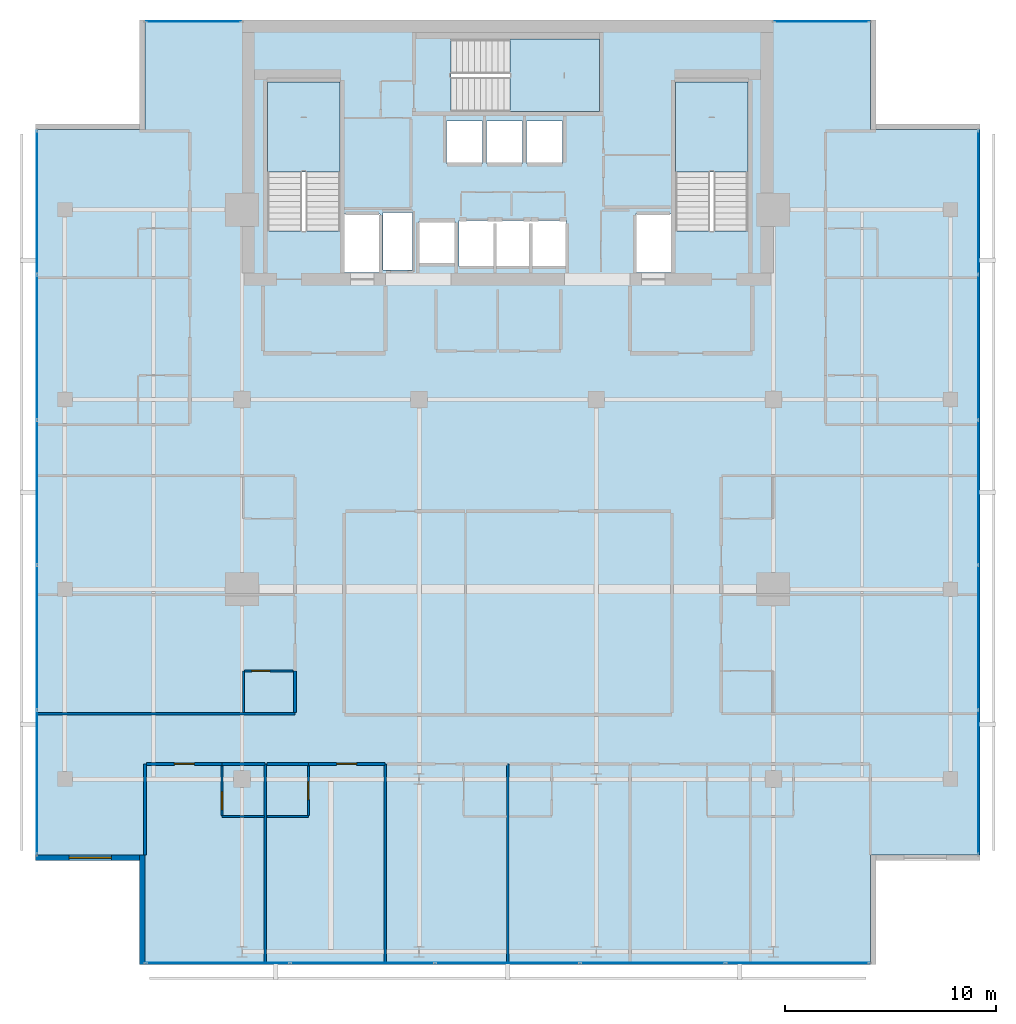
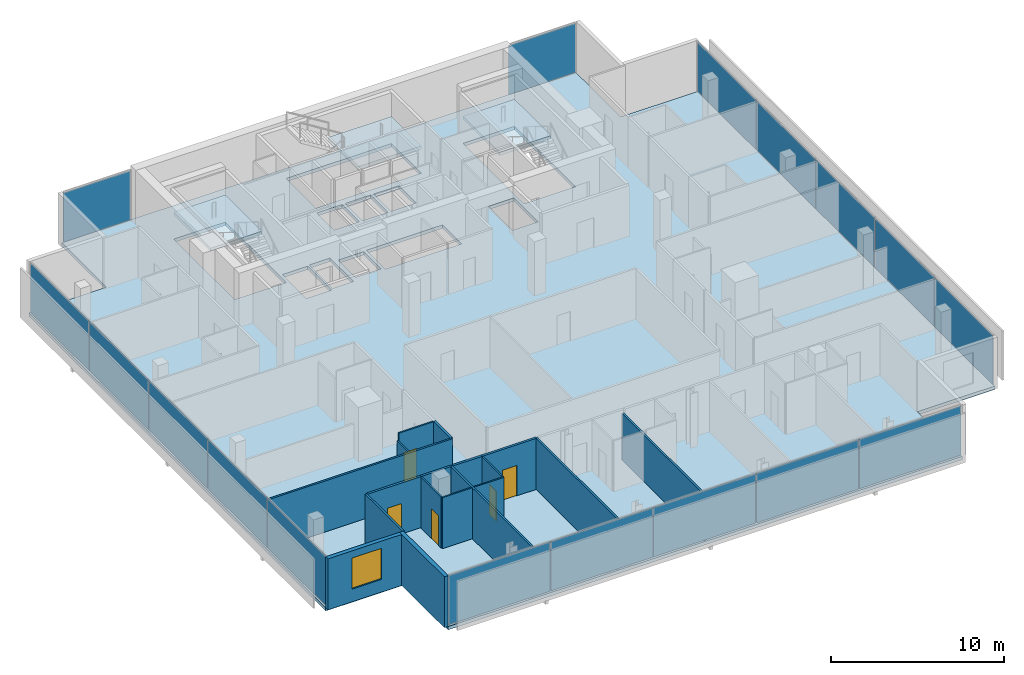
# One storey, part 19 of 26: 18 walls, 17 plates, 5 doors, 4 slabs, 1 window, 6 openings, 8 elements without a shape of their own.
"""IFC4 building model written with IfcOpenShell, lengths in metres."""

import ifcopenshell
import ifcopenshell.guid

model = None  # the IFC model being written
_history = None  # IfcOwnerHistory: only IFC2X3 demands one
_inside = {}  # id of a spatial element -> (the spatial element, [elements in it])
_under = {}  # id of a project, library or spatial element -> (it, [spatial elements below it])
_declared = {}  # id of a project -> (the project, [libraries it declares])
_typed = {}  # id of a type object -> (the type object, [elements of that type])
_made_of = {}  # id of a material, layer set ... -> (it, [elements and type objects made of it])


def new_model(schema):
    """Start an empty IFC model of exactly this schema.

    Asked for "IFC4X3", IfcOpenShell would pick the latest addendum, in which some entities
    have other attributes; the version numbers below select the first issue.
    IFC2X3 requires an IfcOwnerHistory on every rooted entity: one is made here for all.
    """
    global model, _history
    if schema == "IFC4X3":
        model = ifcopenshell.file(schema_version=(4, 3, 0, 0))
    else:
        model = ifcopenshell.file(schema=schema)
    _inside.clear()
    _under.clear()
    _declared.clear()
    _typed.clear()
    _made_of.clear()
    _history = None
    if model.schema == "IFC2X3":
        org = make("IfcOrganization", Name="unknown")
        user = make(
            "IfcPersonAndOrganization",
            ThePerson=make("IfcPerson", FamilyName="unknown"),
            TheOrganization=org,
        )
        app = make(
            "IfcApplication",
            ApplicationDeveloper=org,
            Version="unknown",
            ApplicationFullName="unknown",
            ApplicationIdentifier="unknown",
        )
        _history = make(
            "IfcOwnerHistory",
            OwningUser=user,
            OwningApplication=app,
            ChangeAction="ADDED",
            CreationDate=0,
        )
    return model


def make(cls, **values):
    """One entity of the class cls with the attributes given. An attribute that is None is left unset."""
    return model.create_entity(
        cls, **{name: value for name, value in values.items() if value is not None}
    )


def rooted(cls, **values):
    """An entity with a GlobalId (a new one), such as an element, a storey or a relation."""
    return make(cls, GlobalId=ifcopenshell.guid.new(), OwnerHistory=_history, **values)


def si_unit(unit_type, name, prefix=None):
    """IfcSIUnit, for example si_unit("LENGTHUNIT", "METRE", prefix="MILLI")."""
    return make("IfcSIUnit", UnitType=unit_type, Prefix=prefix, Name=name)


def assignment(units):
    """IfcUnitAssignment: the units of a project."""
    return None if units is None else make("IfcUnitAssignment", Units=units)


def point(xyz):
    """IfcCartesianPoint."""
    return None if xyz is None else make("IfcCartesianPoint", Coordinates=xyz)


def direction(xyz):
    """IfcDirection."""
    return None if xyz is None else make("IfcDirection", DirectionRatios=xyz)


def frame(location, z_axis=None, x_axis=None):
    """IfcAxis2Placement3D, a coordinate frame: its origin and axes. An axis left out is left unset."""
    return make(
        "IfcAxis2Placement3D",
        Location=point(location),
        Axis=direction(z_axis),
        RefDirection=direction(x_axis),
    )


def frame_2d(location, x_axis=None):
    """IfcAxis2Placement2D, a coordinate frame in the plane: its origin and x axis."""
    return make(
        "IfcAxis2Placement2D", Location=point(location), RefDirection=direction(x_axis)
    )


def origin():
    """The frame at (0, 0, 0) with its axes left unset."""
    return frame((0.0, 0.0, 0.0))


def origin_2d():
    """The frame at (0, 0) in the plane with its x axis left unset."""
    return frame_2d((0.0, 0.0))


def place(relative_to, where):
    """IfcLocalPlacement: puts the frame where relative to a parent placement (None: the world)."""
    return make(
        "IfcLocalPlacement", PlacementRelTo=relative_to, RelativePlacement=where
    )


def context(
    kind, dimensions, precision=None, world=None, true_north=None, identifier=None
):
    """IfcGeometricRepresentationContext, for example the 3D "Model" context."""
    return make(
        "IfcGeometricRepresentationContext",
        ContextIdentifier=identifier,
        ContextType=kind,
        CoordinateSpaceDimension=dimensions,
        Precision=precision,
        WorldCoordinateSystem=world,
        TrueNorth=true_north,
    )


def subcontext(parent, identifier, kind, view, scale=None):
    """IfcGeometricRepresentationSubContext, for example "Body" below "Model"."""
    return make(
        "IfcGeometricRepresentationSubContext",
        ContextIdentifier=identifier,
        ContextType=kind,
        ParentContext=parent,
        TargetScale=scale,
        TargetView=view,
    )


def project(units=None, contexts=None):
    """IfcProject with its units and contexts."""
    return rooted(
        "IfcProject",
        Name="project",
        RepresentationContexts=contexts,
        UnitsInContext=assignment(units),
    )


def spatial(cls, under=None, at=None, **own):
    """A site, building, storey or space (cls), placed at a placement, below another one or the project."""
    s = rooted(cls, ObjectPlacement=at, **own)
    if under is not None:
        _under.setdefault(under.id(), (under, []))[1].append(s)
    return s


def polyline(points):
    """IfcPolyline through the points."""
    return make("IfcPolyline", Points=[point(p) for p in points])


def profile(cls, at=None, kind="AREA", **sizes):
    """A parametric profile (cls). Its sizes go by their IFC names, for example OverallWidth=200.0."""
    return make(cls, ProfileType=kind, Position=at, **sizes)


def rectangle(**sizes):
    """IfcRectangleProfileDef."""
    return profile("IfcRectangleProfileDef", **sizes)


def outline(outer, holes=None, kind="AREA"):
    """IfcArbitraryClosedProfileDef: a profile drawn as a closed curve; with holes, ...WithVoids."""
    if holes is None:
        return make("IfcArbitraryClosedProfileDef", ProfileType=kind, OuterCurve=outer)
    return make(
        "IfcArbitraryProfileDefWithVoids",
        ProfileType=kind,
        OuterCurve=outer,
        InnerCurves=holes,
    )


def extrude(swept, where, along, depth):
    """IfcExtrudedAreaSolid: the profile swept, set in the frame where, extruded along a direction by depth."""
    return make(
        "IfcExtrudedAreaSolid",
        SweptArea=swept,
        Position=where,
        ExtrudedDirection=direction(along),
        Depth=depth,
    )


def shape(context_of_items, identifier, shape_type, items):
    """IfcShapeRepresentation: the items that make up one representation, for example the "Body"."""
    return make(
        "IfcShapeRepresentation",
        ContextOfItems=context_of_items,
        RepresentationIdentifier=identifier,
        RepresentationType=shape_type,
        Items=items,
    )


def material(Name=None, Category=None):
    """IfcMaterial."""
    return make("IfcMaterial", Name=Name, Category=Category)


def layer(
    of_material, thickness, ventilated=None, Name=None, Category=None, Priority=None
):
    """IfcMaterialLayer: one layer of a wall or slab, of a material (None: an air gap)."""
    return make(
        "IfcMaterialLayer",
        Material=of_material,
        LayerThickness=thickness,
        IsVentilated=ventilated,
        Name=Name,
        Category=Category,
        Priority=Priority,
    )


def layer_set(layers, Name=None):
    """IfcMaterialLayerSet."""
    return make("IfcMaterialLayerSet", MaterialLayers=layers, LayerSetName=Name)


def made_of(thing, what):
    """Note that an element or type object is made of a material, layer set ...; save() writes the relation."""
    if what is not None:
        _made_of.setdefault(what.id(), (what, []))[1].append(thing)
    return thing


def type_object(cls, material=None, **own):
    """A type object (cls), such as IfcWallType, which elements share."""
    return made_of(rooted(cls, **own), material)


def element(
    cls,
    number,
    at=None,
    inside=None,
    cuts=None,
    type_object=None,
    material=None,
    context=None,
    identifier="Body",
    shape_type=None,
    held_by="IfcProductDefinitionShape",
    body=None,
    shapes=None,
    **own,
):
    """One element of the class cls, such as IfcWall. Its Tag is "e" and its number.

    at: its placement. inside: the storey or other place that contains it. cuts: it is an
    opening in that element (IfcRelVoidsElement). A single representation is given by context,
    identifier, shape_type and body (its items); several are given by shapes. held_by: the class
    of the entity that holds the representations. save() writes the other relations.
    """
    e = rooted(cls, Tag="e%d" % number, ObjectPlacement=at, **own)
    if body is not None:
        shapes = [shape(context, identifier, shape_type, body)]
    if shapes is not None:
        e.Representation = make(held_by, Representations=shapes)
    if inside is not None:
        _inside.setdefault(inside.id(), (inside, []))[1].append(e)
    if cuts is not None:
        rooted(
            "IfcRelVoidsElement", RelatingBuildingElement=cuts, RelatedOpeningElement=e
        )
    if type_object is not None:
        _typed.setdefault(type_object.id(), (type_object, []))[1].append(e)
    return made_of(e, material)


def fill(opening, filler):
    """IfcRelFillsElement: the door or window that sits in an opening."""
    return rooted(
        "IfcRelFillsElement",
        RelatingOpeningElement=opening,
        RelatedBuildingElement=filler,
    )


def aggregate(whole, parts):
    """IfcRelAggregates: a whole, such as a stair, and the parts it consists of."""
    return rooted("IfcRelAggregates", RelatingObject=whole, RelatedObjects=parts)


def save(model, path):
    """Write the relations noted so far, then the file.

    IfcRelAggregates (storeys below a building ...), IfcRelContainedInSpatialStructure (elements
    in a storey), IfcRelDefinesByType, IfcRelAssociatesMaterial and IfcRelDeclares: one each for
    every whole, place, type object, material and project.
    """
    for whole, parts in _under.values():
        aggregate(whole, parts)
    for where, things in _inside.values():
        rooted(
            "IfcRelContainedInSpatialStructure",
            RelatedElements=things,
            RelatingStructure=where,
        )
    for kind, things in _typed.values():
        rooted("IfcRelDefinesByType", RelatedObjects=things, RelatingType=kind)
    for what, things in _made_of.values():
        rooted("IfcRelAssociatesMaterial", RelatedObjects=things, RelatingMaterial=what)
    for by, libraries in _declared.values():
        rooted("IfcRelDeclares", RelatingContext=by, RelatedDefinitions=libraries)
    model.write(path)


model = new_model("IFC4")

# Units and contexts
model_context = context("Model", 3, precision=1e-05, world=origin(), true_north=direction((0.0, 1.0)))
body_context = subcontext(model_context, "Body", "Model", "MODEL_VIEW")
ifc_project = project(units=[si_unit("LENGTHUNIT", "METRE"), si_unit("AREAUNIT", "SQUARE_METRE"), si_unit("VOLUMEUNIT", "CUBIC_METRE"), si_unit("PLANEANGLEUNIT", "RADIAN"), si_unit("MASSUNIT", "GRAM", prefix="KILO")], contexts=[model_context])

# Site, building, storey
site_placement = place(None, origin())
site = spatial("IfcSite", under=ifc_project, at=site_placement, CompositionType="ELEMENT")
building_placement = place(site_placement, origin())
building = spatial("IfcBuilding", under=site, at=building_placement, Name="Maruvema Waterfront Hotel and Observation Tower", CompositionType="ELEMENT")
storey_placement = place(building_placement, frame((0.0, 0.0, 243.25)))
storey = spatial("IfcBuildingStorey", under=building, at=storey_placement, Name="L59", CompositionType="ELEMENT", Elevation=243.25)

# Slab
ifc_material_1 = material(Name="Concrete C50/60", Category="concrete")
ifc_layer_1 = layer(ifc_material_1, 0.239990234375, Name="Reinforced Concrete Floor Slab 240 mm")
ifc_layer_set_1 = layer_set([ifc_layer_1], Name="Concrete C50/60")
slab_type_1 = type_object("IfcSlabType", Name="Reinforced Concrete Floor Slab 240 mm", PredefinedType="FLOOR", material=ifc_layer_set_1)
slab_1_placement = place(storey_placement, frame((0.0, 0.0, -0.239990234375)))
element("IfcSlab", 1, at=slab_1_placement, inside=storey, type_object=slab_type_1, Name="L59 Structural Floor Slab", PredefinedType="FLOOR", context=body_context, shape_type="SweptSolid", body=[
    extrude(outline(polyline([(20.60009765625, 9.199951171875), (55.0, 9.199951171875), (55.0, 14.39990234375), (60.199951171875, 14.39990234375), (60.199951171875, 48.800048828125), (55.0, 48.800048828125), (55.0, 54.0), (20.60009765625, 54.0), (20.60009765625, 48.800048828125), (15.39990234375, 48.800048828125), (15.39990234375, 14.39990234375), (20.60009765625, 14.39990234375), (20.60009765625, 9.199951171875)]), holes=[polyline([(26.39990234375, 44.00048828125), (26.39990234375, 51.050048828125), (29.85009765625, 51.050048828125), (29.85009765625, 44.00048828125), (26.39990234375, 44.00048828125)]), polyline([(30.050048828125, 44.800048828125), (31.75, 44.800048828125), (31.75, 42.02001953125), (30.050048828125, 42.02001953125), (30.050048828125, 44.800048828125)]), polyline([(31.8798828125, 42.139892578125), (31.8798828125, 44.860107421875), (33.280029296875, 44.860107421875), (33.280029296875, 42.139892578125), (31.8798828125, 42.139892578125)]), polyline([(33.60009765625, 44.449951171875), (35.300048828125, 44.449951171875), (35.300048828125, 42.449951171875), (33.60009765625, 42.449951171875), (33.60009765625, 44.449951171875)]), polyline([(34.89990234375, 49.199951171875), (36.60009765625, 49.199951171875), (36.60009765625, 47.199951171875), (34.89990234375, 47.199951171875), (34.89990234375, 49.199951171875)]), polyline([(36.800048828125, 47.199951171875), (36.800048828125, 49.199951171875), (38.5, 49.199951171875), (38.5, 47.199951171875), (36.800048828125, 47.199951171875)]), polyline([(35.5, 42.300048828125), (35.5, 44.5), (40.60009765625, 44.5), (40.60009765625, 42.300048828125), (35.5, 42.300048828125)]), polyline([(35.1005859375, 53.10009765625), (42.14990234375, 53.10009765625), (42.14990234375, 49.64990234375), (35.1005859375, 49.64990234375), (35.1005859375, 53.10009765625)]), polyline([(38.699951171875, 49.199951171875), (40.39990234375, 49.199951171875), (40.39990234375, 47.199951171875), (38.699951171875, 47.199951171875), (38.699951171875, 49.199951171875)]), polyline([(43.85009765625, 44.800048828125), (45.550048828125, 44.800048828125), (45.550048828125, 42.02001953125), (43.85009765625, 42.02001953125), (43.85009765625, 44.800048828125)]), polyline([(45.75, 44.00048828125), (45.75, 51.050048828125), (49.199951171875, 51.050048828125), (49.199951171875, 44.00048828125), (45.75, 44.00048828125)])]), origin(), (0.0, 0.0, 1.0), 0.239990234375),
])

# Curtain wall, plates
ifc_material_2 = material(Name="Anodised bronze aluminium and solar-control low-E IGU", Category="aluminium")
ifc_layer_2 = layer(ifc_material_2, 0.159912109375, Name="Zone 3 Champagne Inner Thermal Curtain Wall System CW-04")
ifc_layer_set_2 = layer_set([ifc_layer_2], Name="Anodised bronze aluminium and solar-control low-E IGU")
curtain_wall_type = type_object("IfcCurtainWallType", Name="Zone 3 Champagne Inner Thermal Curtain Wall System CW-04", PredefinedType="USERDEFINED", material=ifc_layer_set_2)
curtain_wall_1_placement = place(storey_placement, origin())
curtain_wall_1 = element("IfcCurtainWall", 2, at=curtain_wall_1_placement, inside=storey, type_object=curtain_wall_type, Name="L59 Curtain Wall CW-L59-S", ObjectType="UNITISED CURTAIN WALL", PredefinedType="USERDEFINED")
ifc_material_3 = material(Name="Laminated low-E solar-control double glazing", Category="glass")
ifc_layer_3 = layer(ifc_material_3, 0.035888671875, Name="Solar Control Double-Glazed Curtain Panel 36 mm")
ifc_layer_set_3 = layer_set([ifc_layer_3], Name="Laminated low-E solar-control double glazing")
plate_type = type_object("IfcPlateType", Name="Solar Control Double-Glazed Curtain Panel 36 mm", PredefinedType="CURTAIN_PANEL", material=ifc_layer_set_3)
plate_1_placement = place(storey_placement, frame((24.054931640625, 9.280029296875, 0.06005859375), z_axis=(0.0, 0.0, 1.0), x_axis=(1.0, 0.0, 0.0)))
plate_1 = element("IfcPlate", 3, at=plate_1_placement, type_object=plate_type, Name="CW-04 panel 1.1", PredefinedType="CURTAIN_PANEL", context=body_context, shape_type="SweptSolid", body=[
    extrude(rectangle(XDim=6.7900390625, YDim=0.028076171875, at=origin_2d()), origin(), (0.0, 0.0, 1.0), 3.489990234375),
])
plate_2_placement = place(storey_placement, frame((30.919921875, 9.280029296875, 0.06005859375), z_axis=(0.0, 0.0, 1.0), x_axis=(1.0, 0.0, 0.0)))
plate_2 = element("IfcPlate", 4, at=plate_2_placement, type_object=plate_type, Name="CW-04 panel 2.1", PredefinedType="CURTAIN_PANEL", context=body_context, shape_type="SweptSolid", body=[
    extrude(rectangle(XDim=6.820068359375, YDim=0.028076171875, at=origin_2d()), origin(), (0.0, 0.0, 1.0), 3.489990234375),
])
plate_3_placement = place(storey_placement, frame((37.800048828125, 9.280029296875, 0.06005859375), z_axis=(0.0, 0.0, 1.0), x_axis=(1.0, 0.0, 0.0)))
plate_3 = element("IfcPlate", 5, at=plate_3_placement, type_object=plate_type, Name="CW-04 panel 3.1", PredefinedType="CURTAIN_PANEL", context=body_context, shape_type="SweptSolid", body=[
    extrude(rectangle(XDim=6.820068359375, YDim=0.028076171875, at=origin_2d()), origin(), (0.0, 0.0, 1.0), 3.489990234375),
])
plate_4_placement = place(storey_placement, frame((44.679931640625, 9.280029296875, 0.06005859375), z_axis=(0.0, 0.0, 1.0), x_axis=(1.0, 0.0, 0.0)))
plate_4 = element("IfcPlate", 6, at=plate_4_placement, type_object=plate_type, Name="CW-04 panel 4.1", PredefinedType="CURTAIN_PANEL", context=body_context, shape_type="SweptSolid", body=[
    extrude(rectangle(XDim=6.820068359375, YDim=0.028076171875, at=origin_2d()), origin(), (0.0, 0.0, 1.0), 3.489990234375),
])
plate_5_placement = place(storey_placement, frame((51.544921875, 9.280029296875, 0.06005859375), z_axis=(0.0, 0.0, 1.0), x_axis=(1.0, 0.0, 0.0)))
plate_5 = element("IfcPlate", 7, at=plate_5_placement, type_object=plate_type, Name="CW-04 panel 5.1", PredefinedType="CURTAIN_PANEL", context=body_context, shape_type="SweptSolid", body=[
    extrude(rectangle(XDim=6.7900390625, YDim=0.028076171875, at=origin_2d()), origin(), (0.0, 0.0, 1.0), 3.489990234375),
])
aggregate(curtain_wall_1, [plate_1, plate_2, plate_3, plate_4, plate_5])

curtain_wall_2_placement = place(storey_placement, origin())
curtain_wall_2 = element("IfcCurtainWall", 8, at=curtain_wall_2_placement, inside=storey, type_object=curtain_wall_type, Name="L59 Curtain Wall CW-L59-E", ObjectType="UNITISED CURTAIN WALL", PredefinedType="USERDEFINED")
plate_6_placement = place(storey_placement, frame((60.1201171875, 17.85498046875, 0.06005859375), z_axis=(0.0, 0.0, 1.0), x_axis=(0.0, 1.0, 0.0)))
plate_6 = element("IfcPlate", 9, at=plate_6_placement, type_object=plate_type, Name="CW-04 panel 1.1", PredefinedType="CURTAIN_PANEL", context=body_context, shape_type="SweptSolid", body=[
    extrude(rectangle(XDim=6.7900390625, YDim=0.028076171875, at=origin_2d()), origin(), (0.0, 0.0, 1.0), 3.489990234375),
])
plate_7_placement = place(storey_placement, frame((60.1201171875, 24.719970703125, 0.06005859375), z_axis=(0.0, 0.0, 1.0), x_axis=(0.0, 1.0, 0.0)))
plate_7 = element("IfcPlate", 10, at=plate_7_placement, type_object=plate_type, Name="CW-04 panel 2.1", PredefinedType="CURTAIN_PANEL", context=body_context, shape_type="SweptSolid", body=[
    extrude(rectangle(XDim=6.820068359375, YDim=0.028076171875, at=origin_2d()), origin(), (0.0, 0.0, 1.0), 3.489990234375),
])
plate_8_placement = place(storey_placement, frame((60.1201171875, 31.60009765625, 0.06005859375), z_axis=(0.0, 0.0, 1.0), x_axis=(0.0, 1.0, 0.0)))
plate_8 = element("IfcPlate", 11, at=plate_8_placement, type_object=plate_type, Name="CW-04 panel 3.1", PredefinedType="CURTAIN_PANEL", context=body_context, shape_type="SweptSolid", body=[
    extrude(rectangle(XDim=6.820068359375, YDim=0.028076171875, at=origin_2d()), origin(), (0.0, 0.0, 1.0), 3.489990234375),
])
plate_9_placement = place(storey_placement, frame((60.1201171875, 38.47998046875, 0.06005859375), z_axis=(0.0, 0.0, 1.0), x_axis=(0.0, 1.0, 0.0)))
plate_9 = element("IfcPlate", 12, at=plate_9_placement, type_object=plate_type, Name="CW-04 panel 4.1", PredefinedType="CURTAIN_PANEL", context=body_context, shape_type="SweptSolid", body=[
    extrude(rectangle(XDim=6.820068359375, YDim=0.028076171875, at=origin_2d()), origin(), (0.0, 0.0, 1.0), 3.489990234375),
])
plate_10_placement = place(storey_placement, frame((60.1201171875, 45.344970703125, 0.06005859375), z_axis=(0.0, 0.0, 1.0), x_axis=(0.0, 1.0, 0.0)))
plate_10 = element("IfcPlate", 13, at=plate_10_placement, type_object=plate_type, Name="CW-04 panel 5.1", PredefinedType="CURTAIN_PANEL", context=body_context, shape_type="SweptSolid", body=[
    extrude(rectangle(XDim=6.7900390625, YDim=0.028076171875, at=origin_2d()), origin(), (0.0, 0.0, 1.0), 3.489990234375),
])
aggregate(curtain_wall_2, [plate_6, plate_7, plate_8, plate_9, plate_10])

curtain_wall_3_placement = place(storey_placement, origin())
curtain_wall_3 = element("IfcCurtainWall", 14, at=curtain_wall_3_placement, inside=storey, type_object=curtain_wall_type, Name="L59 Curtain Wall CW-L59-W", ObjectType="UNITISED CURTAIN WALL", PredefinedType="USERDEFINED")
plate_11_placement = place(storey_placement, frame((15.47998046875, 45.344970703125, 0.06005859375), z_axis=(0.0, 0.0, 1.0), x_axis=(0.0, -1.0, 0.0)))
plate_11 = element("IfcPlate", 15, at=plate_11_placement, type_object=plate_type, Name="CW-04 panel 1.1", PredefinedType="CURTAIN_PANEL", context=body_context, shape_type="SweptSolid", body=[
    extrude(rectangle(XDim=6.7900390625, YDim=0.028076171875, at=origin_2d()), origin(), (0.0, 0.0, 1.0), 3.489990234375),
])
plate_12_placement = place(storey_placement, frame((15.47998046875, 38.47998046875, 0.06005859375), z_axis=(0.0, 0.0, 1.0), x_axis=(0.0, -1.0, 0.0)))
plate_12 = element("IfcPlate", 16, at=plate_12_placement, type_object=plate_type, Name="CW-04 panel 2.1", PredefinedType="CURTAIN_PANEL", context=body_context, shape_type="SweptSolid", body=[
    extrude(rectangle(XDim=6.820068359375, YDim=0.028076171875, at=origin_2d()), origin(), (0.0, 0.0, 1.0), 3.489990234375),
])
plate_13_placement = place(storey_placement, frame((15.47998046875, 31.60009765625, 0.06005859375), z_axis=(0.0, 0.0, 1.0), x_axis=(0.0, -1.0, 0.0)))
plate_13 = element("IfcPlate", 17, at=plate_13_placement, type_object=plate_type, Name="CW-04 panel 3.1", PredefinedType="CURTAIN_PANEL", context=body_context, shape_type="SweptSolid", body=[
    extrude(rectangle(XDim=6.820068359375, YDim=0.028076171875, at=origin_2d()), origin(), (0.0, 0.0, 1.0), 3.489990234375),
])
plate_14_placement = place(storey_placement, frame((15.47998046875, 24.719970703125, 0.06005859375), z_axis=(0.0, 0.0, 1.0), x_axis=(0.0, -1.0, 0.0)))
plate_14 = element("IfcPlate", 18, at=plate_14_placement, type_object=plate_type, Name="CW-04 panel 4.1", PredefinedType="CURTAIN_PANEL", context=body_context, shape_type="SweptSolid", body=[
    extrude(rectangle(XDim=6.820068359375, YDim=0.028076171875, at=origin_2d()), origin(), (0.0, 0.0, 1.0), 3.489990234375),
])
plate_15_placement = place(storey_placement, frame((15.47998046875, 17.85498046875, 0.06005859375), z_axis=(0.0, 0.0, 1.0), x_axis=(0.0, -1.0, 0.0)))
plate_15 = element("IfcPlate", 19, at=plate_15_placement, type_object=plate_type, Name="CW-04 panel 5.1", PredefinedType="CURTAIN_PANEL", context=body_context, shape_type="SweptSolid", body=[
    extrude(rectangle(XDim=6.7900390625, YDim=0.028076171875, at=origin_2d()), origin(), (0.0, 0.0, 1.0), 3.489990234375),
])
aggregate(curtain_wall_3, [plate_11, plate_12, plate_13, plate_14, plate_15])

# Curtain wall, plate
curtain_wall_4_placement = place(storey_placement, origin())
curtain_wall_4 = element("IfcCurtainWall", 20, at=curtain_wall_4_placement, inside=storey, type_object=curtain_wall_type, Name="L59 Curtain Wall CW-L59-NW", ObjectType="UNITISED CURTAIN WALL", PredefinedType="USERDEFINED")
plate_16_placement = place(storey_placement, frame((22.89990234375, 53.919921875, 0.06005859375), z_axis=(0.0, 0.0, 1.0), x_axis=(-1.0, 0.0, 0.0)))
plate_16 = element("IfcPlate", 21, at=plate_16_placement, type_object=plate_type, Name="CW-04 panel 1.1", PredefinedType="CURTAIN_PANEL", context=body_context, shape_type="SweptSolid", body=[
    extrude(rectangle(XDim=4.47998046875, YDim=0.028076171875, at=origin_2d()), origin(), (0.0, 0.0, 1.0), 3.489990234375),
])
aggregate(curtain_wall_4, [plate_16])

curtain_wall_5_placement = place(storey_placement, origin())
curtain_wall_5 = element("IfcCurtainWall", 22, at=curtain_wall_5_placement, inside=storey, type_object=curtain_wall_type, Name="L59 Curtain Wall CW-L59-NE", ObjectType="UNITISED CURTAIN WALL", PredefinedType="USERDEFINED")
plate_17_placement = place(storey_placement, frame((52.699951171875, 53.919921875, 0.06005859375), z_axis=(0.0, 0.0, 1.0), x_axis=(-1.0, 0.0, 0.0)))
plate_17 = element("IfcPlate", 23, at=plate_17_placement, type_object=plate_type, Name="CW-04 panel 1.1", PredefinedType="CURTAIN_PANEL", context=body_context, shape_type="SweptSolid", body=[
    extrude(rectangle(XDim=4.47998046875, YDim=0.028076171875, at=origin_2d()), origin(), (0.0, 0.0, 1.0), 3.489990234375),
])
aggregate(curtain_wall_5, [plate_17])

# Stair, slab
ifc_material_4 = material(Name="Concrete C50/60", Category="concrete")
stair_type = type_object("IfcStairType", Name="Dogleg Exit Stair 1650 mm (22R x 175.0 mm)", PredefinedType="HALF_TURN_STAIR", material=ifc_material_4)
stair_1_placement = place(storey_placement, origin())
stair_1 = element("IfcStair", 24, at=stair_1_placement, inside=storey, type_object=stair_type, Name="L59 ST-01", PredefinedType="HALF_TURN_STAIR")
ifc_material_5 = material(Name="Concrete C50/60", Category="concrete")
ifc_layer_4 = layer(ifc_material_5, 0.219970703125, Name="Stair Concrete Landing Slab 220 mm")
ifc_layer_set_4 = layer_set([ifc_layer_4], Name="Concrete C50/60")
slab_type_2 = type_object("IfcSlabType", Name="Stair Concrete Landing Slab 220 mm", PredefinedType="LANDING", material=ifc_layer_set_4)
slab_2_placement = place(storey_placement, frame((0.0, 0.0, 1.705078125)))
slab_2 = element("IfcSlab", 25, at=slab_2_placement, type_object=slab_type_2, Name="ST-01 landing 1", PredefinedType="LANDING", context=body_context, shape_type="SweptSolid", body=[
    extrude(outline(polyline([(29.85009765625, 46.800048828125), (29.85009765625, 51.050048828125), (26.39990234375, 51.050048828125), (26.39990234375, 46.800048828125), (29.85009765625, 46.800048828125)])), origin(), (0.0, 0.0, 1.0), 0.219970703125),
])
aggregate(stair_1, [slab_2])

stair_2_placement = place(storey_placement, origin())
stair_2 = element("IfcStair", 26, at=stair_2_placement, inside=storey, type_object=stair_type, Name="L59 ST-02", PredefinedType="HALF_TURN_STAIR")
slab_3_placement = place(storey_placement, frame((0.0, 0.0, 1.705078125)))
slab_3 = element("IfcSlab", 27, at=slab_3_placement, type_object=slab_type_2, Name="ST-02 landing 1", PredefinedType="LANDING", context=body_context, shape_type="SweptSolid", body=[
    extrude(outline(polyline([(37.89990234375, 49.64990234375), (42.14990234375, 49.64990234375), (42.14990234375, 53.10009765625), (37.89990234375, 53.10009765625), (37.89990234375, 49.64990234375)])), origin(), (0.0, 0.0, 1.0), 0.219970703125),
])
aggregate(stair_2, [slab_3])

stair_3_placement = place(storey_placement, origin())
stair_3 = element("IfcStair", 28, at=stair_3_placement, inside=storey, type_object=stair_type, Name="L59 ST-03", PredefinedType="HALF_TURN_STAIR")
slab_4_placement = place(storey_placement, frame((0.0, 0.0, 1.705078125)))
slab_4 = element("IfcSlab", 29, at=slab_4_placement, type_object=slab_type_2, Name="ST-03 landing 1", PredefinedType="LANDING", context=body_context, shape_type="SweptSolid", body=[
    extrude(outline(polyline([(49.199951171875, 46.800048828125), (49.199951171875, 51.050048828125), (45.75, 51.050048828125), (45.75, 46.800048828125), (49.199951171875, 46.800048828125)])), origin(), (0.0, 0.0, 1.0), 0.219970703125),
])
aggregate(stair_3, [slab_4])

# Wall
ifc_material_6 = material(Name="Twin-stud acoustic gypsum drywall", Category="gypsum")
ifc_layer_5 = layer(ifc_material_6, 0.14990234375, Name="Acoustic Corridor and Suite Demising Wall 150 mm")
ifc_layer_set_5 = layer_set([ifc_layer_5], Name="Twin-stud acoustic gypsum drywall")
wall_type_1 = type_object("IfcWallType", Name="Acoustic Corridor and Suite Demising Wall 150 mm", PredefinedType="PARTITIONING", material=ifc_layer_set_5)
wall_1_placement = place(storey_placement, frame((24.25, 18.719970703125, 0.0), z_axis=(0.0, 0.0, 1.0), x_axis=(1.0, 0.0, 0.0)))
element("IfcWall", 30, at=wall_1_placement, inside=storey, type_object=wall_type_1, Name="L59 Bath L59-S1 Back Wall 039", PredefinedType="PARTITIONING", context=body_context, shape_type="SweptSolid", body=[
    extrude(rectangle(XDim=2.030029296875, YDim=0.14990234375, at=frame_2d((1.01513671875, 0.0))), origin(), (0.0, 0.0, 1.0), 3.610107421875),
])

# Wall, opening, door
wall_2_placement = place(storey_placement, frame((20.679931640625, 18.719970703125, 0.0), z_axis=(0.0, 0.0, 1.0), x_axis=(1.0, 0.0, 0.0)))
wall_2 = element("IfcWall", 31, at=wall_2_placement, inside=storey, type_object=wall_type_1, Name="L59 Unit L59-S1 Corridor Wall 042", PredefinedType="PARTITIONING", context=body_context, shape_type="SweptSolid", body=[
    extrude(rectangle(XDim=3.570068359375, YDim=0.14990234375, at=frame_2d((1.78515625, 0.0))), origin(), (0.0, 0.0, 1.0), 3.610107421875),
])
opening_1_placement = place(wall_2_placement, frame((1.31005859375, 0.0, 0.0)))
opening_1 = element("IfcOpeningElement", 32, at=opening_1_placement, cuts=wall_2, Name="Opening DR-095", PredefinedType="OPENING", context=body_context, shape_type="SweptSolid", body=[
    extrude(rectangle(XDim=0.949951171875, YDim=2.14990234375, at=frame_2d((0.47509765625, 1.074951171875))), frame((0.0, 0.0849609375, 0.0), z_axis=(0.0, -1.0, 0.0), x_axis=(1.0, 0.0, 0.0)), (0.0, 0.0, 1.0), 0.169921875),
])
ifc_material_7 = material(Name="Acoustic solid-core hardwood timber leaf", Category="wood")
door_type_1 = type_object("IfcDoorType", Name="Guestroom Entrance Fire Door 950x2150 mm", OperationType="NOTDEFINED", PredefinedType="DOOR", material=ifc_material_7)
door_1_placement = place(opening_1_placement, frame((0.949951171875, 0.0, 0.0), z_axis=(0.0, 0.0, 1.0), x_axis=(-1.0, 0.0, 0.0)))
door_1 = element("IfcDoor", 33, at=door_1_placement, inside=storey, type_object=door_type_1, Name="L59 Unit L59-S1 Entrance Door", OperationType="SINGLE_SWING_LEFT", OverallHeight=2.14990234375, OverallWidth=0.949951171875, PredefinedType="DOOR", context=body_context, shape_type="SweptSolid", body=[
    extrude(rectangle(XDim=0.949951171875, YDim=2.14990234375, at=frame_2d((0.47509765625, 1.074951171875))), frame((0.0, 0.02490234375, 0.0), z_axis=(0.0, -1.0, 0.0), x_axis=(1.0, 0.0, 0.0)), (0.0, 0.0, 1.0), 0.050048828125),
])
fill(opening_1, door_1)

# Wall
wall_3_placement = place(storey_placement, frame((26.3798828125, 18.719970703125, 0.0), z_axis=(0.0, 0.0, 1.0), x_axis=(1.0, 0.0, 0.0)))
element("IfcWall", 34, at=wall_3_placement, inside=storey, type_object=wall_type_1, Name="L59 Bath L59-S2 Back Wall 044", PredefinedType="PARTITIONING", context=body_context, shape_type="SweptSolid", body=[
    extrude(rectangle(XDim=1.97021484375, YDim=0.14990234375, at=frame_2d((0.985107421875, 0.0))), origin(), (0.0, 0.0, 1.0), 3.610107421875),
])

# Wall, opening, door
wall_4_placement = place(storey_placement, frame((28.35009765625, 18.719970703125, 0.0), z_axis=(0.0, 0.0, 1.0), x_axis=(1.0, 0.0, 0.0)))
wall_4 = element("IfcWall", 35, at=wall_4_placement, inside=storey, type_object=wall_type_1, Name="L59 Unit L59-S2 Corridor Wall 047", PredefinedType="PARTITIONING", context=body_context, shape_type="SweptSolid", body=[
    extrude(rectangle(XDim=3.6298828125, YDim=0.14990234375, at=frame_2d((1.81494140625, 0.0))), origin(), (0.0, 0.0, 1.0), 3.610107421875),
])
opening_2_placement = place(wall_4_placement, frame((1.340087890625, 0.0, 0.0)))
opening_2 = element("IfcOpeningElement", 36, at=opening_2_placement, cuts=wall_4, Name="Opening DR-095", PredefinedType="OPENING", context=body_context, shape_type="SweptSolid", body=[
    extrude(rectangle(XDim=0.949951171875, YDim=2.14990234375, at=frame_2d((0.47509765625, 1.074951171875))), frame((0.0, 0.0849609375, 0.0), z_axis=(0.0, -1.0, 0.0), x_axis=(1.0, 0.0, 0.0)), (0.0, 0.0, 1.0), 0.169921875),
])
door_2_placement = place(opening_2_placement, frame((0.949951171875, 0.0, 0.0), z_axis=(0.0, 0.0, 1.0), x_axis=(-1.0, 0.0, 0.0)))
door_2 = element("IfcDoor", 37, at=door_2_placement, inside=storey, type_object=door_type_1, Name="L59 Unit L59-S2 Entrance Door", OperationType="SINGLE_SWING_LEFT", OverallHeight=2.14990234375, OverallWidth=0.949951171875, PredefinedType="DOOR", context=body_context, shape_type="SweptSolid", body=[
    extrude(rectangle(XDim=0.949951171875, YDim=2.14990234375, at=frame_2d((0.47509765625, 1.074951171875))), frame((0.0, 0.02490234375, 0.0), z_axis=(0.0, -1.0, 0.0), x_axis=(1.0, 0.0, 0.0)), (0.0, 0.0, 1.0), 0.050048828125),
])
fill(opening_2, door_2)

# Walls
wall_5_placement = place(storey_placement, frame((27.719970703125, 21.159912109375, 0.0), z_axis=(0.0, 0.0, 1.0), x_axis=(0.0, 1.0, 0.0)))
element("IfcWall", 38, at=wall_5_placement, inside=storey, type_object=wall_type_1, Name="L59 Bath L59-W1 Wall 072", PredefinedType="PARTITIONING", context=body_context, shape_type="SweptSolid", body=[
    extrude(rectangle(XDim=1.969970703125, YDim=0.14990234375, at=frame_2d((0.98486328125, 0.0))), origin(), (0.0, 0.0, 1.0), 3.610107421875),
])
ifc_material_8 = material(Name="Moisture-resistant cement-board drywall", Category="gypsum")
ifc_layer_6 = layer(ifc_material_8, 0.10009765625, Name="En-Suite Moisture-Resistant Partition 100 mm")
ifc_layer_set_6 = layer_set([ifc_layer_6], Name="Moisture-resistant cement-board drywall")
wall_type_2 = type_object("IfcWallType", Name="En-Suite Moisture-Resistant Partition 100 mm", PredefinedType="PARTITIONING", material=ifc_layer_set_6)
wall_6_placement = place(storey_placement, frame((24.25, 16.219970703125, 0.0), z_axis=(0.0, 0.0, 1.0), x_axis=(1.0, 0.0, 0.0)))
element("IfcWall", 39, at=wall_6_placement, inside=storey, type_object=wall_type_2, Name="L59 En-Suite L59-S1 South 040", PredefinedType="PARTITIONING", context=body_context, shape_type="SweptSolid", body=[
    extrude(rectangle(XDim=2.010009765625, YDim=0.10009765625, at=frame_2d((1.0048828125, 0.0))), origin(), (0.0, 0.0, 1.0), 3.610107421875),
])

# Wall, opening, door
wall_7_placement = place(storey_placement, frame((24.25, 16.280029296875, 0.0), z_axis=(0.0, 0.0, 1.0), x_axis=(0.0, 1.0, 0.0)))
wall_7 = element("IfcWall", 40, at=wall_7_placement, inside=storey, type_object=wall_type_2, Name="L59 En-Suite L59-S1 West 041", PredefinedType="PARTITIONING", context=body_context, shape_type="SweptSolid", body=[
    extrude(rectangle(XDim=2.340087890625, YDim=0.10009765625, at=frame_2d((1.169921875, 0.0))), origin(), (0.0, 0.0, 1.0), 3.610107421875),
])
opening_3_placement = place(wall_7_placement, frame((0.264892578125, 0.0, 0.0)))
opening_3 = element("IfcOpeningElement", 41, at=opening_3_placement, cuts=wall_7, Name="Opening DR-085", PredefinedType="OPENING", context=body_context, shape_type="SweptSolid", body=[
    extrude(rectangle(XDim=0.85009765625, YDim=2.10009765625, at=frame_2d((0.425048828125, 1.050048828125))), frame((0.0, 0.06005859375, 0.0), z_axis=(0.0, -1.0, 0.0), x_axis=(1.0, 0.0, 0.0)), (0.0, 0.0, 1.0), 0.1201171875),
])
ifc_material_9 = material(Name="Moisture-resistant solid timber leaf", Category="wood")
door_type_2 = type_object("IfcDoorType", Name="En-Suite Bathroom Door 850x2100 mm", OperationType="NOTDEFINED", PredefinedType="DOOR", material=ifc_material_9)
door_3_placement = place(opening_3_placement, origin())
door_3 = element("IfcDoor", 42, at=door_3_placement, inside=storey, type_object=door_type_2, Name="L59 En-Suite L59-S1 Door", OperationType="SINGLE_SWING_RIGHT", OverallHeight=2.10009765625, OverallWidth=0.85009765625, PredefinedType="DOOR", context=body_context, shape_type="SweptSolid", body=[
    extrude(rectangle(XDim=0.85009765625, YDim=2.10009765625, at=frame_2d((0.425048828125, 1.050048828125))), frame((0.0, 0.02490234375, 0.0), z_axis=(0.0, -1.0, 0.0), x_axis=(1.0, 0.0, 0.0)), (0.0, 0.0, 1.0), 0.050048828125),
])
fill(opening_3, door_3)

# Wall
wall_8_placement = place(storey_placement, frame((26.3798828125, 16.219970703125, 0.0), z_axis=(0.0, 0.0, 1.0), x_axis=(1.0, 0.0, 0.0)))
element("IfcWall", 43, at=wall_8_placement, inside=storey, type_object=wall_type_2, Name="L59 En-Suite L59-S2 South 045", PredefinedType="PARTITIONING", context=body_context, shape_type="SweptSolid", body=[
    extrude(rectangle(XDim=1.97021484375, YDim=0.10009765625, at=frame_2d((0.985107421875, 0.0))), origin(), (0.0, 0.0, 1.0), 3.610107421875),
])

# Wall, opening, door
wall_9_placement = place(storey_placement, frame((28.35009765625, 16.280029296875, 0.0), z_axis=(0.0, 0.0, 1.0), x_axis=(0.0, 1.0, 0.0)))
wall_9 = element("IfcWall", 44, at=wall_9_placement, inside=storey, type_object=wall_type_2, Name="L59 En-Suite L59-S2 East 046", PredefinedType="PARTITIONING", context=body_context, shape_type="SweptSolid", body=[
    extrude(rectangle(XDim=2.340087890625, YDim=0.10009765625, at=frame_2d((1.169921875, 0.0))), origin(), (0.0, 0.0, 1.0), 3.610107421875),
])
opening_4_placement = place(wall_9_placement, frame((0.7451171875, 0.0, 0.0)))
opening_4 = element("IfcOpeningElement", 45, at=opening_4_placement, cuts=wall_9, Name="Opening DR-085", PredefinedType="OPENING", context=body_context, shape_type="SweptSolid", body=[
    extrude(rectangle(XDim=0.85009765625, YDim=2.10009765625, at=frame_2d((0.425048828125, 1.050048828125))), frame((0.0, 0.06005859375, 0.0), z_axis=(0.0, -1.0, 0.0), x_axis=(1.0, 0.0, 0.0)), (0.0, 0.0, 1.0), 0.1201171875),
])
door_4_placement = place(opening_4_placement, frame((0.85009765625, 0.0, 0.0), z_axis=(0.0, 0.0, 1.0), x_axis=(-1.0, 0.0, 0.0)))
door_4 = element("IfcDoor", 46, at=door_4_placement, inside=storey, type_object=door_type_2, Name="L59 En-Suite L59-S2 Door", OperationType="SINGLE_SWING_RIGHT", OverallHeight=2.10009765625, OverallWidth=0.85009765625, PredefinedType="DOOR", context=body_context, shape_type="SweptSolid", body=[
    extrude(rectangle(XDim=0.85009765625, YDim=2.10009765625, at=frame_2d((0.425048828125, 1.050048828125))), frame((0.0, 0.02490234375, 0.0), z_axis=(0.0, -1.0, 0.0), x_axis=(1.0, 0.0, 0.0)), (0.0, 0.0, 1.0), 0.050048828125),
])
fill(opening_4, door_4)

# Wall
wall_10_placement = place(storey_placement, frame((25.27001953125, 21.159912109375, 0.0), z_axis=(0.0, 0.0, 1.0), x_axis=(0.0, 1.0, 0.0)))
element("IfcWall", 47, at=wall_10_placement, inside=storey, type_object=wall_type_2, Name="L59 En-Suite L59-W1 W 074", PredefinedType="PARTITIONING", context=body_context, shape_type="SweptSolid", body=[
    extrude(rectangle(XDim=1.969970703125, YDim=0.10009765625, at=frame_2d((0.98486328125, 0.0))), origin(), (0.0, 0.0, 1.0), 3.076904296875),
])

# Wall, opening, door
wall_11_placement = place(storey_placement, frame((25.320068359375, 23.1298828125, 0.0), z_axis=(0.0, 0.0, 1.0), x_axis=(1.0, 0.0, 0.0)))
wall_11 = element("IfcWall", 48, at=wall_11_placement, inside=storey, type_object=wall_type_2, Name="L59 En-Suite L59-W1 N 075", PredefinedType="PARTITIONING", context=body_context, shape_type="SweptSolid", body=[
    extrude(rectangle(XDim=2.300048828125, YDim=0.10009765625, at=frame_2d((1.14990234375, 0.0))), origin(), (0.0, 0.0, 1.0), 3.610107421875),
])
opening_5_placement = place(wall_11_placement, frame((0.35009765625, 0.0, 0.0)))
opening_5 = element("IfcOpeningElement", 49, at=opening_5_placement, cuts=wall_11, Name="Opening DR-085", PredefinedType="OPENING", context=body_context, shape_type="SweptSolid", body=[
    extrude(rectangle(XDim=0.85009765625, YDim=2.10009765625, at=frame_2d((0.425048828125, 1.050048828125))), frame((0.0, 0.06005859375, 0.0), z_axis=(0.0, -1.0, 0.0), x_axis=(1.0, 0.0, 0.0)), (0.0, 0.0, 1.0), 0.1201171875),
])
door_5_placement = place(opening_5_placement, origin())
door_5 = element("IfcDoor", 50, at=door_5_placement, inside=storey, type_object=door_type_2, Name="L59 En-Suite L59-W1 Door", OperationType="SINGLE_SWING_RIGHT", OverallHeight=2.10009765625, OverallWidth=0.85009765625, PredefinedType="DOOR", context=body_context, shape_type="SweptSolid", body=[
    extrude(rectangle(XDim=0.85009765625, YDim=2.10009765625, at=frame_2d((0.425048828125, 1.050048828125))), frame((0.0, 0.02490234375, 0.0), z_axis=(0.0, -1.0, 0.0), x_axis=(1.0, 0.0, 0.0)), (0.0, 0.0, 1.0), 0.050048828125),
])
fill(opening_5, door_5)

# Wall
ifc_material_10 = material(Name="Precast concrete C45/55 with honed Pernambuco granite facing", Category="masonry")
ifc_layer_7 = layer(ifc_material_10, 0.260009765625, Name="Exterior Granite Clad Spandrel and Pier Wall 260 mm")
ifc_layer_set_7 = layer_set([ifc_layer_7], Name="Precast concrete C45/55 with honed Pernambuco granite facing")
wall_type_3 = type_object("IfcWallType", Name="Exterior Granite Clad Spandrel and Pier Wall 260 mm", PredefinedType="SOLIDWALL", material=ifc_layer_set_7)
wall_12_placement = place(storey_placement, frame((20.469970703125, 9.199951171875, 0.0), z_axis=(0.0, 0.0, 1.0), x_axis=(0.0, 1.0, 0.0)))
element("IfcWall", 51, at=wall_12_placement, inside=storey, type_object=wall_type_3, Name="L59 Corner Notch Granite Pier Wall SW1", PredefinedType="SOLIDWALL", context=body_context, shape_type="SweptSolid", body=[
    extrude(rectangle(XDim=5.199951171875, YDim=0.260009765625, at=frame_2d((2.60009765625, 0.0))), origin(), (0.0, 0.0, 1.0), 3.610107421875),
])

# Wall, opening, window
wall_13_placement = place(storey_placement, frame((20.60009765625, 14.27001953125, 0.0), z_axis=(0.0, 0.0, 1.0), x_axis=(-1.0, 0.0, 0.0)))
wall_13 = element("IfcWall", 52, at=wall_13_placement, inside=storey, type_object=wall_type_3, Name="L59 Corner Notch Granite Pier Wall SW2", PredefinedType="SOLIDWALL", context=body_context, shape_type="SweptSolid", body=[
    extrude(rectangle(XDim=5.2001953125, YDim=0.260009765625, at=frame_2d((2.60009765625, 0.0))), origin(), (0.0, 0.0, 1.0), 3.610107421875),
])
opening_6_placement = place(wall_13_placement, frame((1.60009765625, 0.0, 0.89990234375)))
opening_6 = element("IfcOpeningElement", 53, at=opening_6_placement, cuts=wall_13, Name="Opening WN-03", PredefinedType="OPENING", context=body_context, shape_type="SweptSolid", body=[
    extrude(rectangle(XDim=2.0, YDim=2.199951171875, at=frame_2d((1.0, 1.10009765625))), frame((0.0, 0.14013671875, 0.0), z_axis=(0.0, -1.0, 0.0), x_axis=(1.0, 0.0, 0.0)), (0.0, 0.0, 1.0), 0.280029296875),
])
ifc_material_11 = material(Name="Anodised bronze aluminium frame with laminated low-E glass", Category="aluminium")
window_type = type_object("IfcWindowType", Name="Sky Suite Panoramic Notch Window 2000x2200 mm", PartitioningType="SINGLE_PANEL", PredefinedType="WINDOW", material=ifc_material_11)
window_placement = place(opening_6_placement, origin())
window = element("IfcWindow", 54, at=window_placement, inside=storey, type_object=window_type, Name="L59 Corner Notch Punched Window SW2", OverallHeight=2.199951171875, OverallWidth=2.0, PartitioningType="SINGLE_PANEL", PredefinedType="WINDOW", context=body_context, shape_type="SweptSolid", body=[
    extrude(rectangle(XDim=2.0, YDim=2.199951171875, at=frame_2d((1.0, 1.10009765625))), frame((0.0, 0.030029296875, 0.0), z_axis=(0.0, -1.0, 0.0), x_axis=(1.0, 0.0, 0.0)), (0.0, 0.0, 1.0), 0.06005859375),
])
fill(opening_6, window)

# Walls
ifc_material_12 = material(Name="Acoustic gypsum plasterboard drywall", Category="gypsum")
ifc_layer_8 = layer(ifc_material_12, 0.125, Name="Guestroom Acoustic Demising Wall 125 mm")
ifc_layer_set_8 = layer_set([ifc_layer_8], Name="Acoustic gypsum plasterboard drywall")
wall_type_4 = type_object("IfcWallType", Name="Guestroom Acoustic Demising Wall 125 mm", PredefinedType="PARTITIONING", material=ifc_layer_set_8)
wall_14_placement = place(storey_placement, frame((20.60009765625, 14.39990234375, 0.0), z_axis=(0.0, 0.0, 1.0), x_axis=(0.0, 1.0, 0.0)))
element("IfcWall", 55, at=wall_14_placement, inside=storey, type_object=wall_type_4, Name="L59 Z3 S West End 037", PredefinedType="PARTITIONING", context=body_context, shape_type="SweptSolid", body=[
    extrude(rectangle(XDim=4.320068359375, YDim=0.125, at=frame_2d((2.16015625, 0.0))), origin(), (0.0, 0.0, 1.0), 3.610107421875),
])
for number, where, z_axis, x_axis, name in (
    (56, (26.300048828125, 9.300048828125, 0.0), (0.0, 0.0, 1.0), (0.0, 1.0, 0.0), "L59 Z3 S Demising 2 043"),
    (57, (32.0, 9.300048828125, 0.0), (0.0, 0.0, 1.0), (0.0, 1.0, 0.0), "L59 Z3 S Demising 3 048"),
):
    element("IfcWall", number, at=place(storey_placement, frame(where, z_axis=z_axis, x_axis=x_axis)), inside=storey, type_object=wall_type_4, Name=name, PredefinedType="PARTITIONING", context=body_context, shape_type="SweptSolid", body=[
        extrude(rectangle(XDim=9.419921875, YDim=0.125, at=frame_2d((4.7099609375, 0.0))), origin(), (0.0, 0.0, 1.0), 3.610107421875),
    ])
wall_15_placement = place(storey_placement, frame((37.800048828125, 9.300048828125, 0.0), z_axis=(0.0, 0.0, 1.0), x_axis=(0.0, 1.0, 0.0)))
element("IfcWall", 58, at=wall_15_placement, inside=storey, type_object=wall_type_4, Name="L59 Z3 S Demising 4 053", PredefinedType="PARTITIONING", context=body_context, shape_type="SweptSolid", body=[
    extrude(rectangle(XDim=9.419921875, YDim=0.125, at=frame_2d((4.7099609375, 0.0))), origin(), (0.0, 0.0, 1.0), 3.300048828125),
])
wall_16_placement = place(storey_placement, frame((15.5, 21.10009765625, 0.0), z_axis=(0.0, 0.0, 1.0), x_axis=(1.0, 0.0, 0.0)))
element("IfcWall", 59, at=wall_16_placement, inside=storey, type_object=wall_type_4, Name="L59 Z3 W Bot End 068", PredefinedType="PARTITIONING", context=body_context, shape_type="SweptSolid", body=[
    extrude(rectangle(XDim=12.219970703125, YDim=0.125, at=frame_2d((6.10986328125, 0.0))), origin(), (0.0, 0.0, 1.0), 3.610107421875),
])

save(model, "model.ifc")
